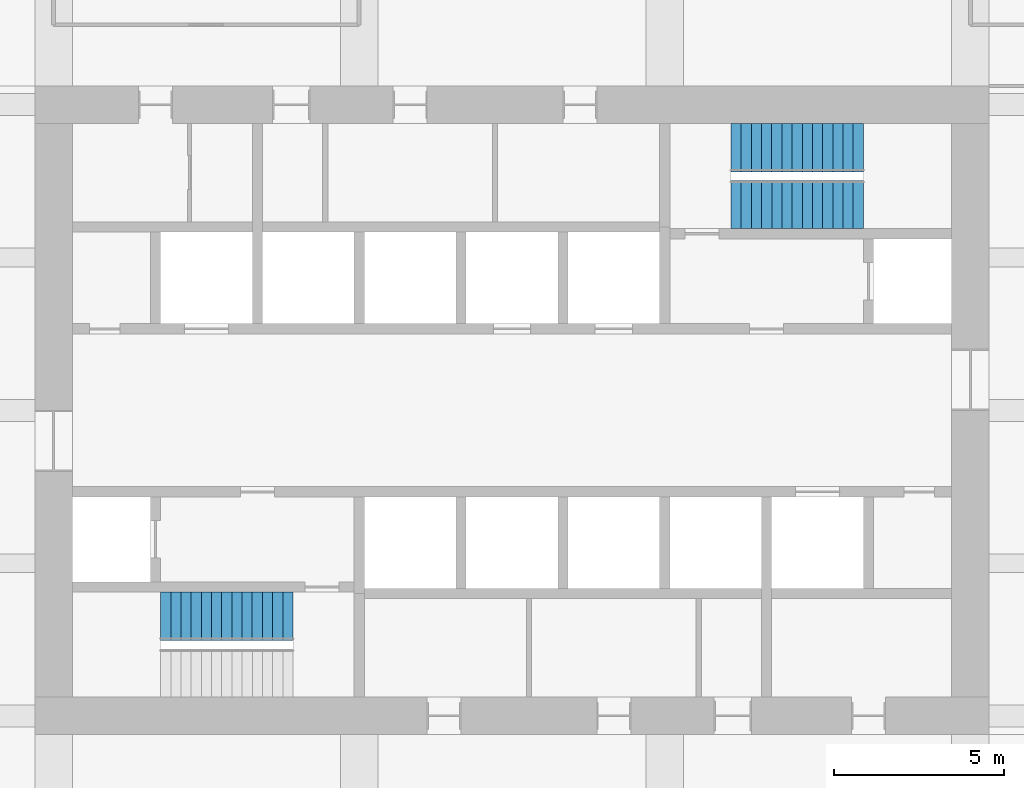
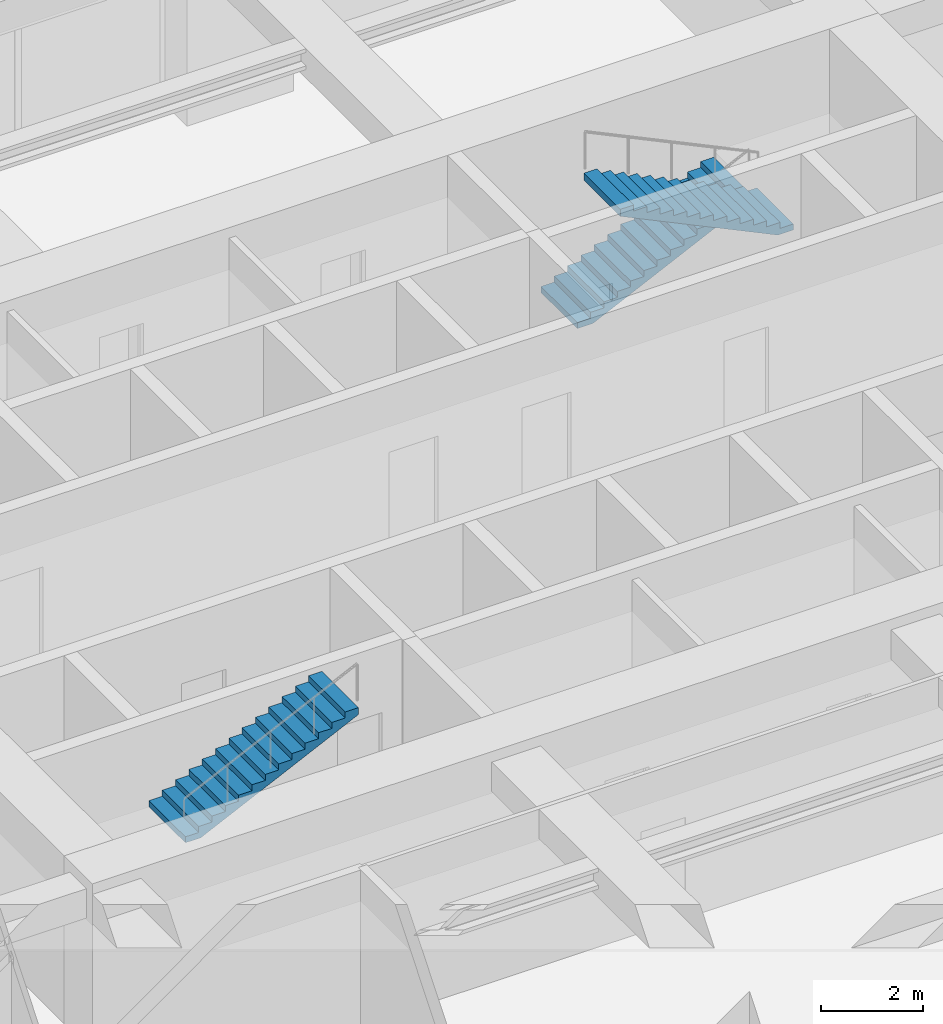
# One storey, part 39 of 40: 3 stair flights, 2 elements without a shape of their own.
"""IFC4 building model written with IfcOpenShell, lengths in metres."""

import ifcopenshell
import ifcopenshell.guid

model = None  # the IFC model being written
_history = None  # IfcOwnerHistory: only IFC2X3 demands one
_inside = {}  # id of a spatial element -> (the spatial element, [elements in it])
_under = {}  # id of a project, library or spatial element -> (it, [spatial elements below it])
_declared = {}  # id of a project -> (the project, [libraries it declares])
_typed = {}  # id of a type object -> (the type object, [elements of that type])
_made_of = {}  # id of a material, layer set ... -> (it, [elements and type objects made of it])


def new_model(schema):
    """Start an empty IFC model of exactly this schema.

    Asked for "IFC4X3", IfcOpenShell would pick the latest addendum, in which some entities
    have other attributes; the version numbers below select the first issue.
    IFC2X3 requires an IfcOwnerHistory on every rooted entity: one is made here for all.
    """
    global model, _history
    if schema == "IFC4X3":
        model = ifcopenshell.file(schema_version=(4, 3, 0, 0))
    else:
        model = ifcopenshell.file(schema=schema)
    _inside.clear()
    _under.clear()
    _declared.clear()
    _typed.clear()
    _made_of.clear()
    _history = None
    if model.schema == "IFC2X3":
        org = make("IfcOrganization", Name="unknown")
        user = make(
            "IfcPersonAndOrganization",
            ThePerson=make("IfcPerson", FamilyName="unknown"),
            TheOrganization=org,
        )
        app = make(
            "IfcApplication",
            ApplicationDeveloper=org,
            Version="unknown",
            ApplicationFullName="unknown",
            ApplicationIdentifier="unknown",
        )
        _history = make(
            "IfcOwnerHistory",
            OwningUser=user,
            OwningApplication=app,
            ChangeAction="ADDED",
            CreationDate=0,
        )
    return model


def make(cls, **values):
    """One entity of the class cls with the attributes given. An attribute that is None is left unset."""
    return model.create_entity(
        cls, **{name: value for name, value in values.items() if value is not None}
    )


def rooted(cls, **values):
    """An entity with a GlobalId (a new one), such as an element, a storey or a relation."""
    return make(cls, GlobalId=ifcopenshell.guid.new(), OwnerHistory=_history, **values)


def si_unit(unit_type, name, prefix=None):
    """IfcSIUnit, for example si_unit("LENGTHUNIT", "METRE", prefix="MILLI")."""
    return make("IfcSIUnit", UnitType=unit_type, Prefix=prefix, Name=name)


def assignment(units):
    """IfcUnitAssignment: the units of a project."""
    return None if units is None else make("IfcUnitAssignment", Units=units)


def point(xyz):
    """IfcCartesianPoint."""
    return None if xyz is None else make("IfcCartesianPoint", Coordinates=xyz)


def direction(xyz):
    """IfcDirection."""
    return None if xyz is None else make("IfcDirection", DirectionRatios=xyz)


def frame(location, z_axis=None, x_axis=None):
    """IfcAxis2Placement3D, a coordinate frame: its origin and axes. An axis left out is left unset."""
    return make(
        "IfcAxis2Placement3D",
        Location=point(location),
        Axis=direction(z_axis),
        RefDirection=direction(x_axis),
    )


def origin():
    """The frame at (0, 0, 0) with its axes left unset."""
    return frame((0.0, 0.0, 0.0))


def place(relative_to, where):
    """IfcLocalPlacement: puts the frame where relative to a parent placement (None: the world)."""
    return make(
        "IfcLocalPlacement", PlacementRelTo=relative_to, RelativePlacement=where
    )


def context(
    kind, dimensions, precision=None, world=None, true_north=None, identifier=None
):
    """IfcGeometricRepresentationContext, for example the 3D "Model" context."""
    return make(
        "IfcGeometricRepresentationContext",
        ContextIdentifier=identifier,
        ContextType=kind,
        CoordinateSpaceDimension=dimensions,
        Precision=precision,
        WorldCoordinateSystem=world,
        TrueNorth=true_north,
    )


def subcontext(parent, identifier, kind, view, scale=None):
    """IfcGeometricRepresentationSubContext, for example "Body" below "Model"."""
    return make(
        "IfcGeometricRepresentationSubContext",
        ContextIdentifier=identifier,
        ContextType=kind,
        ParentContext=parent,
        TargetScale=scale,
        TargetView=view,
    )


def project(units=None, contexts=None):
    """IfcProject with its units and contexts."""
    return rooted(
        "IfcProject",
        Name="project",
        RepresentationContexts=contexts,
        UnitsInContext=assignment(units),
    )


def spatial(cls, under=None, at=None, **own):
    """A site, building, storey or space (cls), placed at a placement, below another one or the project."""
    s = rooted(cls, ObjectPlacement=at, **own)
    if under is not None:
        _under.setdefault(under.id(), (under, []))[1].append(s)
    return s


def polyline(points):
    """IfcPolyline through the points."""
    return make("IfcPolyline", Points=[point(p) for p in points])


def outline(outer, holes=None, kind="AREA"):
    """IfcArbitraryClosedProfileDef: a profile drawn as a closed curve; with holes, ...WithVoids."""
    if holes is None:
        return make("IfcArbitraryClosedProfileDef", ProfileType=kind, OuterCurve=outer)
    return make(
        "IfcArbitraryProfileDefWithVoids",
        ProfileType=kind,
        OuterCurve=outer,
        InnerCurves=holes,
    )


def extrude(swept, where, along, depth):
    """IfcExtrudedAreaSolid: the profile swept, set in the frame where, extruded along a direction by depth."""
    return make(
        "IfcExtrudedAreaSolid",
        SweptArea=swept,
        Position=where,
        ExtrudedDirection=direction(along),
        Depth=depth,
    )


def shape(context_of_items, identifier, shape_type, items):
    """IfcShapeRepresentation: the items that make up one representation, for example the "Body"."""
    return make(
        "IfcShapeRepresentation",
        ContextOfItems=context_of_items,
        RepresentationIdentifier=identifier,
        RepresentationType=shape_type,
        Items=items,
    )


def material(Name=None, Category=None):
    """IfcMaterial."""
    return make("IfcMaterial", Name=Name, Category=Category)


def made_of(thing, what):
    """Note that an element or type object is made of a material, layer set ...; save() writes the relation."""
    if what is not None:
        _made_of.setdefault(what.id(), (what, []))[1].append(thing)
    return thing


def type_object(cls, material=None, **own):
    """A type object (cls), such as IfcWallType, which elements share."""
    return made_of(rooted(cls, **own), material)


def element(
    cls,
    number,
    at=None,
    inside=None,
    cuts=None,
    type_object=None,
    material=None,
    context=None,
    identifier="Body",
    shape_type=None,
    held_by="IfcProductDefinitionShape",
    body=None,
    shapes=None,
    **own,
):
    """One element of the class cls, such as IfcWall. Its Tag is "e" and its number.

    at: its placement. inside: the storey or other place that contains it. cuts: it is an
    opening in that element (IfcRelVoidsElement). A single representation is given by context,
    identifier, shape_type and body (its items); several are given by shapes. held_by: the class
    of the entity that holds the representations. save() writes the other relations.
    """
    e = rooted(cls, Tag="e%d" % number, ObjectPlacement=at, **own)
    if body is not None:
        shapes = [shape(context, identifier, shape_type, body)]
    if shapes is not None:
        e.Representation = make(held_by, Representations=shapes)
    if inside is not None:
        _inside.setdefault(inside.id(), (inside, []))[1].append(e)
    if cuts is not None:
        rooted(
            "IfcRelVoidsElement", RelatingBuildingElement=cuts, RelatedOpeningElement=e
        )
    if type_object is not None:
        _typed.setdefault(type_object.id(), (type_object, []))[1].append(e)
    return made_of(e, material)


def aggregate(whole, parts):
    """IfcRelAggregates: a whole, such as a stair, and the parts it consists of."""
    return rooted("IfcRelAggregates", RelatingObject=whole, RelatedObjects=parts)


def save(model, path):
    """Write the relations noted so far, then the file.

    IfcRelAggregates (storeys below a building ...), IfcRelContainedInSpatialStructure (elements
    in a storey), IfcRelDefinesByType, IfcRelAssociatesMaterial and IfcRelDeclares: one each for
    every whole, place, type object, material and project.
    """
    for whole, parts in _under.values():
        aggregate(whole, parts)
    for where, things in _inside.values():
        rooted(
            "IfcRelContainedInSpatialStructure",
            RelatedElements=things,
            RelatingStructure=where,
        )
    for kind, things in _typed.values():
        rooted("IfcRelDefinesByType", RelatedObjects=things, RelatingType=kind)
    for what, things in _made_of.values():
        rooted("IfcRelAssociatesMaterial", RelatedObjects=things, RelatingMaterial=what)
    for by, libraries in _declared.values():
        rooted("IfcRelDeclares", RelatingContext=by, RelatedDefinitions=libraries)
    model.write(path)


model = new_model("IFC4")

# Units and contexts
model_context = context("Model", 3, precision=1e-05, world=origin(), true_north=direction((0.0, 1.0)))
body_context = subcontext(model_context, "Body", "Model", "MODEL_VIEW")
ifc_project = project(units=[si_unit("LENGTHUNIT", "METRE"), si_unit("AREAUNIT", "SQUARE_METRE"), si_unit("VOLUMEUNIT", "CUBIC_METRE"), si_unit("PLANEANGLEUNIT", "RADIAN"), si_unit("MASSUNIT", "GRAM", prefix="KILO")], contexts=[model_context])

# Site, building, storey
site_placement = place(None, origin())
site = spatial("IfcSite", under=ifc_project, at=site_placement, CompositionType="ELEMENT")
building_placement = place(site_placement, origin())
building = spatial("IfcBuilding", under=site, at=building_placement, Name="Zorevar Civic Tower", CompositionType="ELEMENT")
storey_placement = place(building_placement, frame((0.0, 0.0, 133.0)))
storey = spatial("IfcBuildingStorey", under=building, at=storey_placement, Name="L32", CompositionType="ELEMENT", Elevation=133.0)

# Stair, stair flight
ifc_material_1 = material(Name="Precast concrete C40/50", Category="concrete")
stair_type = type_object("IfcStairType", Name="Stair ST 28R", PredefinedType="HALF_TURN_STAIR", material=ifc_material_1)
stair_1_placement = place(storey_placement, origin())
stair_1 = element("IfcStair", 1, at=stair_1_placement, inside=storey, type_object=stair_type, Name="Stair ST1 L32", PredefinedType="HALF_TURN_STAIR")
ifc_material_2 = material(Name="Precast concrete C40/50", Category="concrete")
stair_flight_type = type_object("IfcStairFlightType", Name="Stair flight", PredefinedType="STRAIGHT", material=ifc_material_2)
stair_flight_1_placement = place(storey_placement, frame((21.14990234375, 20.9375, 2.0), z_axis=(0.0, 0.0, 1.0), x_axis=(1.0, 0.0, 0.0)))
stair_flight_1 = element("IfcStairFlight", 2, at=stair_flight_1_placement, type_object=stair_flight_type, Name="ST1 flight 2", NumberOfRisers=14, NumberOfTreads=13, PredefinedType="STRAIGHT", RiserHeight=0.142857143, TreadLength=0.3, context=body_context, shape_type="SweptSolid", body=[
    extrude(outline(polyline([(0.0, 0.0), (0.0, 0.142822265625), (0.300048828125, 0.142822265625), (0.300048828125, 0.28564453125), (0.60009765625, 0.28564453125), (0.60009765625, 0.428466796875), (0.89990234375, 0.428466796875), (0.89990234375, 0.571533203125), (1.199951171875, 0.571533203125), (1.199951171875, 0.71435546875), (1.5, 0.71435546875), (1.5, 0.857177734375), (1.800048828125, 0.857177734375), (1.800048828125, 1.0), (2.10009765625, 1.0), (2.10009765625, 1.142822265625), (2.39990234375, 1.142822265625), (2.39990234375, 1.28564453125), (2.699951171875, 1.28564453125), (2.699951171875, 1.428466796875), (3.0, 1.428466796875), (3.0, 1.571533203125), (3.300048828125, 1.571533203125), (3.300048828125, 1.71435546875), (3.60009765625, 1.71435546875), (3.60009765625, 1.857177734375), (3.89990234375, 1.857177734375), (3.89990234375, 2.0), (3.89990234375, 1.691162109375), (0.3486328125, 0.0), (0.0, 0.0)])), frame((0.0, 0.71240234375, 0.0), z_axis=(0.0, -1.0, 0.0), x_axis=(1.0, 0.0, 0.0)), (0.0, 0.0, 1.0), 1.425048828125),
])
aggregate(stair_1, [stair_flight_1])

# Stair, stair flights
stair_2_placement = place(storey_placement, origin())
stair_2 = element("IfcStair", 3, at=stair_2_placement, inside=storey, type_object=stair_type, Name="Stair ST2 L32", PredefinedType="HALF_TURN_STAIR")
stair_flight_2_placement = place(storey_placement, frame((37.949951171875, 34.737548828125, 0.0), z_axis=(0.0, 0.0, 1.0), x_axis=(1.0, 0.0, 0.0)))
stair_flight_2 = element("IfcStairFlight", 4, at=stair_flight_2_placement, type_object=stair_flight_type, Name="ST2 flight 1", NumberOfRisers=14, NumberOfTreads=13, PredefinedType="STRAIGHT", RiserHeight=0.142857143, TreadLength=0.3, context=body_context, shape_type="SweptSolid", body=[
    extrude(outline(polyline([(0.0, 0.0), (0.0, 0.142822265625), (0.300048828125, 0.142822265625), (0.300048828125, 0.28564453125), (0.60009765625, 0.28564453125), (0.60009765625, 0.428466796875), (0.89990234375, 0.428466796875), (0.89990234375, 0.571533203125), (1.199951171875, 0.571533203125), (1.199951171875, 0.71435546875), (1.5, 0.71435546875), (1.5, 0.857177734375), (1.800048828125, 0.857177734375), (1.800048828125, 1.0), (2.10009765625, 1.0), (2.10009765625, 1.142822265625), (2.39990234375, 1.142822265625), (2.39990234375, 1.28564453125), (2.699951171875, 1.28564453125), (2.699951171875, 1.428466796875), (3.0, 1.428466796875), (3.0, 1.571533203125), (3.300048828125, 1.571533203125), (3.300048828125, 1.71435546875), (3.60009765625, 1.71435546875), (3.60009765625, 1.857177734375), (3.89990234375, 1.857177734375), (3.89990234375, 2.0), (3.89990234375, 1.691162109375), (0.3486328125, 0.0), (0.0, 0.0)])), frame((0.0, 0.71240234375, 0.0), z_axis=(0.0, -1.0, 0.0), x_axis=(1.0, 0.0, 0.0)), (0.0, 0.0, 1.0), 1.425048828125),
])
stair_flight_3_placement = place(storey_placement, frame((41.85009765625, 33.0625, 2.0), z_axis=(0.0, 0.0, 1.0), x_axis=(-1.0, 0.0, 0.0)))
stair_flight_3 = element("IfcStairFlight", 5, at=stair_flight_3_placement, type_object=stair_flight_type, Name="ST2 flight 2", NumberOfRisers=14, NumberOfTreads=13, PredefinedType="STRAIGHT", RiserHeight=0.142857143, TreadLength=0.3, context=body_context, shape_type="SweptSolid", body=[
    extrude(outline(polyline([(0.0, 0.0), (0.0, 0.142822265625), (0.300048828125, 0.142822265625), (0.300048828125, 0.28564453125), (0.60009765625, 0.28564453125), (0.60009765625, 0.428466796875), (0.89990234375, 0.428466796875), (0.89990234375, 0.571533203125), (1.199951171875, 0.571533203125), (1.199951171875, 0.71435546875), (1.5, 0.71435546875), (1.5, 0.857177734375), (1.800048828125, 0.857177734375), (1.800048828125, 1.0), (2.10009765625, 1.0), (2.10009765625, 1.142822265625), (2.39990234375, 1.142822265625), (2.39990234375, 1.28564453125), (2.699951171875, 1.28564453125), (2.699951171875, 1.428466796875), (3.0, 1.428466796875), (3.0, 1.571533203125), (3.300048828125, 1.571533203125), (3.300048828125, 1.71435546875), (3.60009765625, 1.71435546875), (3.60009765625, 1.857177734375), (3.89990234375, 1.857177734375), (3.89990234375, 2.0), (3.89990234375, 1.691162109375), (0.3486328125, 0.0), (0.0, 0.0)])), frame((0.0, 0.71240234375, 0.0), z_axis=(0.0, -1.0, 0.0), x_axis=(1.0, 0.0, 0.0)), (0.0, 0.0, 1.0), 1.425048828125),
])
aggregate(stair_2, [stair_flight_2, stair_flight_3])

save(model, "model.ifc")
